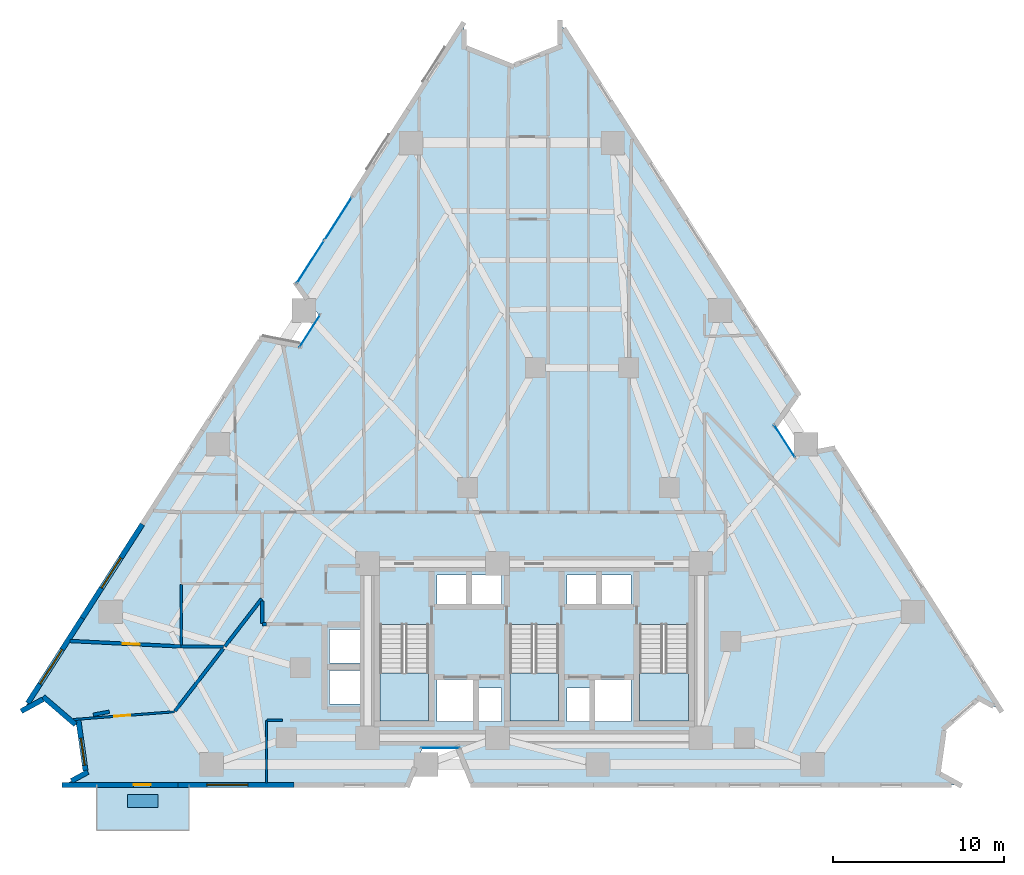
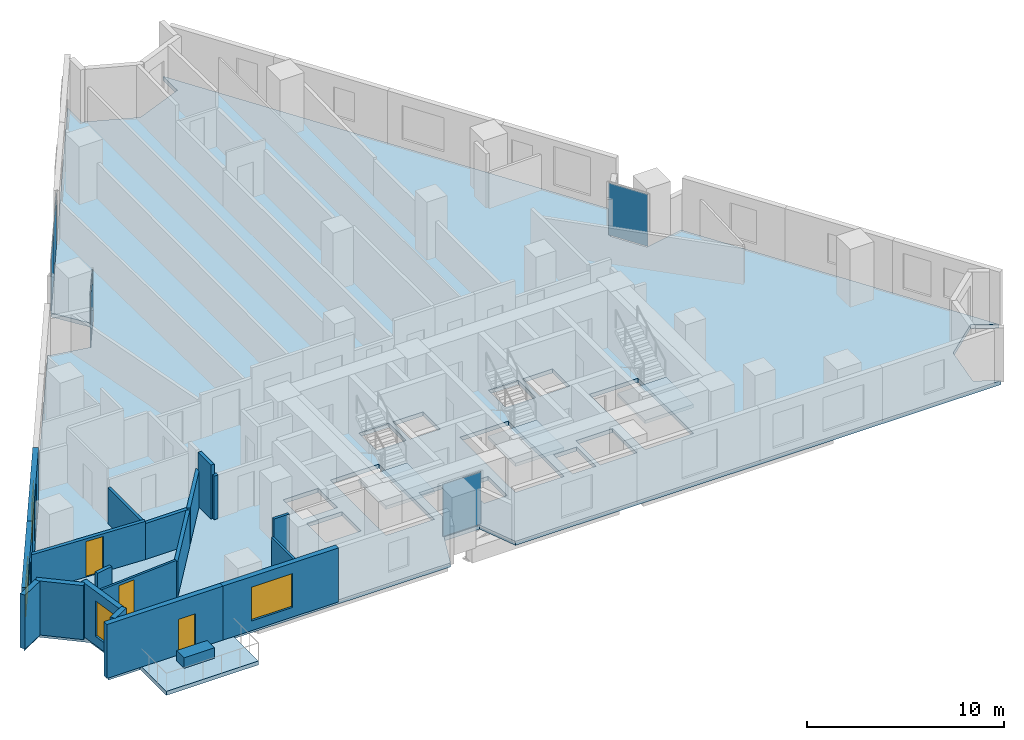
# One storey, part 7 of 14: 19 walls, 6 plates, 5 slabs, 4 windows, 3 doors, 7 openings, 7 elements without a shape of their own.
"""IFC4 building model written with IfcOpenShell, lengths in metres."""

from ifc_helpers import new_model, si_unit, direction, frame, frame_2d, origin, origin_2d, place, context, subcontext, project, spatial, polyline, rectangle, outline, extrude, material, layer, layer_set, type_object, element, fill, aggregate, save


model = new_model("IFC4")

# Units and contexts
model_context = context("Model", 3, precision=1e-05, world=origin(), true_north=direction((0.0, 1.0)))
body_context = subcontext(model_context, "Body", "Model", "MODEL_VIEW")
ifc_project = project(units=[si_unit("LENGTHUNIT", "METRE"), si_unit("AREAUNIT", "SQUARE_METRE"), si_unit("VOLUMEUNIT", "CUBIC_METRE"), si_unit("PLANEANGLEUNIT", "RADIAN"), si_unit("MASSUNIT", "GRAM", prefix="KILO")], contexts=[model_context])

# Site, building, storey
site_placement = place(None, origin())
site = spatial("IfcSite", under=ifc_project, at=site_placement, CompositionType="ELEMENT")
building_placement = place(site_placement, origin())
building = spatial("IfcBuilding", under=site, at=building_placement, Name="Almagre Mirador Tower", CompositionType="ELEMENT")
storey_placement = place(building_placement, frame((0.0, 0.0, 35.39990234375)))
storey = spatial("IfcBuildingStorey", under=building, at=storey_placement, Name="L07", CompositionType="ELEMENT", Elevation=35.39990234375)

# Curtain wall, plate
ifc_material_1 = material(Name="Black anodized aluminium", Category="aluminium")
ifc_layer_1 = layer(ifc_material_1, 0.169921875)
ifc_layer_set_1 = layer_set([ifc_layer_1], Name="Black anodized aluminium")
curtain_wall_type_1 = type_object("IfcCurtainWallType", Name="CW-CRS-SYS", PredefinedType="NOTDEFINED", material=ifc_layer_set_1)
curtain_wall_1_placement = place(storey_placement, origin())
curtain_wall_1 = element("IfcCurtainWall", 1, at=curtain_wall_1_placement, inside=storey, type_object=curtain_wall_type_1, Name="L07 vertical crease curtain wall 01", PredefinedType="NOTDEFINED")
ifc_material_2 = material(Name="Dark solar-control laminated hurricane glass", Category="glass")
ifc_layer_2 = layer(ifc_material_2, 0.028076171875)
ifc_layer_set_2 = layer_set([ifc_layer_2], Name="Dark solar-control laminated hurricane glass")
plate_type_1 = type_object("IfcPlateType", Name="PLT-GLZ-28", PredefinedType="CURTAIN_PANEL", material=ifc_layer_set_2)
plate_1_placement = place(storey_placement, frame((24.173095703125, 28.359619140625, 0.06005859375), z_axis=(0.0, 0.0, 1.0), x_axis=(0.539848636718, 0.841762109764, 0.0)))
plate_1 = element("IfcPlate", 2, at=plate_1_placement, type_object=plate_type_1, Name="CW-4 panel 1.1", PredefinedType="CURTAIN_PANEL", context=body_context, shape_type="SweptSolid", body=[
    extrude(rectangle(XDim=2.24951171875, YDim=0.028076171875, at=origin_2d()), origin(), (0.0, 0.0, 1.0), 3.22998046875),
])
aggregate(curtain_wall_1, [plate_1])

curtain_wall_2_placement = place(storey_placement, origin())
curtain_wall_2 = element("IfcCurtainWall", 3, at=curtain_wall_2_placement, inside=storey, type_object=curtain_wall_type_1, Name="L07 vertical crease curtain wall 03", PredefinedType="NOTDEFINED")
plate_2_placement = place(storey_placement, frame((51.952880859375, 21.92041015625, 0.06005859375), z_axis=(0.0, 0.0, 1.0), x_axis=(0.539848636718, -0.841762109764, 0.0)))
plate_2 = element("IfcPlate", 4, at=plate_2_placement, type_object=plate_type_1, Name="CW-4 panel 1.1", PredefinedType="CURTAIN_PANEL", context=body_context, shape_type="SweptSolid", body=[
    extrude(rectangle(XDim=2.24951171875, YDim=0.028076171875, at=origin_2d()), origin(), (0.0, 0.0, 1.0), 3.22998046875),
])
aggregate(curtain_wall_2, [plate_2])

curtain_wall_3_placement = place(storey_placement, origin())
curtain_wall_3 = element("IfcCurtainWall", 5, at=curtain_wall_3_placement, inside=storey, type_object=curtain_wall_type_1, Name="L07 vertical crease curtain wall 04", PredefinedType="NOTDEFINED")
plate_3_placement = place(storey_placement, frame((31.80810546875, 3.949951171875, 0.06005859375), z_axis=(0.0, 0.0, 1.0), x_axis=(-1.0, 0.0, 0.0)))
plate_3 = element("IfcPlate", 6, at=plate_3_placement, type_object=plate_type_1, Name="CW-4 panel 1.1", PredefinedType="CURTAIN_PANEL", context=body_context, shape_type="SweptSolid", body=[
    extrude(rectangle(XDim=2.25, YDim=0.028076171875, at=origin_2d()), origin(), (0.0, 0.0, 1.0), 3.22998046875),
])
aggregate(curtain_wall_3, [plate_3])

# Curtain wall, plates
ifc_material_3 = material(Name="Black anodized aluminium", Category="aluminium")
ifc_layer_3 = layer(ifc_material_3, 0.18994140625)
ifc_layer_set_3 = layer_set([ifc_layer_3], Name="Black anodized aluminium")
curtain_wall_type_2 = type_object("IfcCurtainWallType", Name="CW-RES-L-SYS", PredefinedType="NOTDEFINED", material=ifc_layer_set_3)
curtain_wall_4_placement = place(storey_placement, origin())
curtain_wall_4 = element("IfcCurtainWall", 7, at=curtain_wall_4_placement, inside=storey, type_object=curtain_wall_type_2, Name="L07 curtain wall run 02", PredefinedType="NOTDEFINED")
ifc_material_4 = material(Name="Dark solar-control laminated hurricane glass", Category="glass")
ifc_layer_4 = layer(ifc_material_4, 0.031982421875)
ifc_layer_set_4 = layer_set([ifc_layer_4], Name="Dark solar-control laminated hurricane glass")
plate_type_2 = type_object("IfcPlateType", Name="PLT-GLZ-32", PredefinedType="CURTAIN_PANEL", material=ifc_layer_set_4)
plate_4_placement = place(storey_placement, frame((24.2138671875, 32.407958984375, 0.06005859375), z_axis=(0.0, 0.0, 1.0), x_axis=(0.539529022287, 0.841967002982, 0.0)))
plate_4 = element("IfcPlate", 8, at=plate_4_placement, type_object=plate_type_2, Name="CW-2 panel 1.1", PredefinedType="CURTAIN_PANEL", context=body_context, shape_type="SweptSolid", body=[
    extrude(rectangle(XDim=2.931640625, YDim=0.031982421875, at=origin_2d()), origin(), (0.0, 0.0, 1.0), 3.22998046875),
])
plate_5_placement = place(storey_placement, frame((25.830810546875, 34.93115234375, 0.06005859375), z_axis=(0.0, 0.0, 1.0), x_axis=(0.539529022287, 0.841967002982, 0.0)))
plate_5 = element("IfcPlate", 9, at=plate_5_placement, type_object=plate_type_2, Name="CW-2 panel 2.1", PredefinedType="CURTAIN_PANEL", context=body_context, shape_type="SweptSolid", body=[
    extrude(rectangle(XDim=2.931640625, YDim=0.031982421875, at=origin_2d()), origin(), (0.0, 0.0, 1.0), 3.22998046875),
])
aggregate(curtain_wall_4, [plate_4, plate_5])

# Plate
ifc_material_5 = material(Name="Precast concrete C50/60", Category="concrete")
ifc_layer_5 = layer(ifc_material_5, 0.64990234375)
ifc_layer_set_5 = layer_set([ifc_layer_5], Name="Precast concrete C50/60")
plate_type_3 = type_object("IfcPlateType", Name="PLT-PLANTER-1800", PredefinedType="USERDEFINED", material=ifc_layer_set_5)
plate_6_placement = place(storey_placement, frame((14.39990234375, 0.85009765625, 0.000244140625), z_axis=(0.0, 0.0, 1.0), x_axis=(1.0, 0.0, 0.0)))
element("IfcPlate", 10, at=plate_6_placement, inside=storey, type_object=plate_type_3, Name="L07 south balcony structural tree planter 1", ObjectType="PLANTER", PredefinedType="USERDEFINED", context=body_context, shape_type="SweptSolid", body=[
    extrude(rectangle(XDim=1.800048828125, YDim=0.75, at=origin_2d()), origin(), (0.0, 0.0, 1.0), 0.64990234375),
])

# Slabs
ifc_material_6 = material(Name="Concrete C45/55", Category="concrete")
ifc_layer_6 = layer(ifc_material_6, 0.239990234375)
ifc_layer_set_6 = layer_set([ifc_layer_6], Name="Concrete C45/55")
slab_type_1 = type_object("IfcSlabType", Name="SLB-BAL-240", PredefinedType="USERDEFINED", material=ifc_layer_set_6)
slab_1_placement = place(storey_placement, frame((0.0, 0.0, -0.239990234375)))
element("IfcSlab", 11, at=slab_1_placement, inside=storey, type_object=slab_type_1, Name="L07 south planted tree balcony 1", ObjectType="BALCONY", PredefinedType="USERDEFINED", context=body_context, shape_type="SweptSolid", body=[
    extrude(outline(polyline([(11.699951171875, 1.820068359375), (17.10009765625, 1.820068359375), (17.10009765625, -0.85009765625), (11.699951171875, -0.85009765625), (11.699951171875, 1.820068359375)])), origin(), (0.0, 0.0, 1.0), 0.239990234375),
])
ifc_material_7 = material(Name="Concrete C45/55", Category="concrete")
ifc_layer_7 = layer(ifc_material_7, 0.25)
ifc_layer_set_7 = layer_set([ifc_layer_7], Name="Concrete C45/55")
slab_type_2 = type_object("IfcSlabType", Name="SLB-FLR-250", PredefinedType="FLOOR", material=ifc_layer_set_7)
slab_2_placement = place(storey_placement, frame((0.0, 0.0, -0.25)))
element("IfcSlab", 12, at=slab_2_placement, inside=storey, type_object=slab_type_2, Name="L07 structural floor slab", PredefinedType="FLOOR", context=body_context, shape_type="SweptSolid", body=[
    extrude(outline(polyline([(7.406005859375, 6.177978515625), (8.6689453125, 6.868896484375), (10.69189453125, 5.132080078125), (11.06298828125, 2.490966796875), (9.800048828125, 1.800048828125), (29.907958984375, 1.800048828125), (30.762939453125, 3.949951171875), (32.85302734375, 3.949951171875), (33.7080078125, 1.800048828125), (62.199951171875, 1.800048828125), (60.93701171875, 2.490966796875), (61.30810546875, 5.132080078125), (63.3310546875, 6.868896484375), (64.593994140625, 6.177978515625), (54.7880859375, 21.48095703125), (52.51708984375, 21.041015625), (51.388916015625, 22.800048828125), (52.738037109375, 24.679931640625), (38.805908203125, 46.422119140625), (38.805908203125, 44.98193359375), (36.0, 43.85595703125), (33.194091796875, 44.98193359375), (33.194091796875, 46.422119140625), (23.387939453125, 31.118896484375), (24.737060546875, 29.239013671875), (23.60888671875, 27.47998046875), (21.337890625, 27.919921875), (7.406005859375, 6.177978515625)]), holes=[polyline([(43.47509765625, 11.196044921875), (46.324951171875, 11.196044921875), (46.324951171875, 5.550048828125), (43.47509765625, 5.550048828125), (43.47509765625, 11.196044921875)]), polyline([(40.820068359375, 5.52001953125), (40.820068359375, 7.97998046875), (42.97998046875, 7.97998046875), (42.97998046875, 5.52001953125), (40.820068359375, 5.52001953125)]), polyline([(41.219970703125, 12.320068359375), (41.219970703125, 14.080078125), (42.97998046875, 14.080078125), (42.97998046875, 12.320068359375), (41.219970703125, 12.320068359375)]), polyline([(39.219970703125, 12.320068359375), (39.219970703125, 14.080078125), (40.97998046875, 14.080078125), (40.97998046875, 12.320068359375), (39.219970703125, 12.320068359375)]), polyline([(39.219970703125, 5.52001953125), (39.219970703125, 7.47998046875), (40.580078125, 7.47998046875), (40.580078125, 5.52001953125), (39.219970703125, 5.52001953125)]), polyline([(35.875, 11.196044921875), (38.72509765625, 11.196044921875), (38.72509765625, 5.550048828125), (35.875, 5.550048828125), (35.875, 11.196044921875)]), polyline([(35.3798828125, 5.52001953125), (34.02001953125, 5.52001953125), (34.02001953125, 7.47998046875), (35.3798828125, 7.47998046875), (35.3798828125, 5.52001953125)]), polyline([(35.3798828125, 12.320068359375), (33.6201171875, 12.320068359375), (33.6201171875, 14.080078125), (35.3798828125, 14.080078125), (35.3798828125, 12.320068359375)]), polyline([(31.6201171875, 5.52001953125), (31.6201171875, 7.97998046875), (33.780029296875, 7.97998046875), (33.780029296875, 5.52001953125), (31.6201171875, 5.52001953125)]), polyline([(31.6201171875, 12.320068359375), (31.6201171875, 14.080078125), (33.3798828125, 14.080078125), (33.3798828125, 12.320068359375), (31.6201171875, 12.320068359375)]), polyline([(28.27490234375, 5.550048828125), (28.27490234375, 11.196044921875), (31.125, 11.196044921875), (31.125, 5.550048828125), (28.27490234375, 5.550048828125)]), polyline([(25.320068359375, 6.52001953125), (25.320068359375, 8.47998046875), (27.3798828125, 8.47998046875), (27.3798828125, 6.52001953125), (25.320068359375, 6.52001953125)]), polyline([(25.320068359375, 8.919921875), (25.320068359375, 10.8798828125), (27.3798828125, 10.8798828125), (27.3798828125, 8.919921875), (25.320068359375, 8.919921875)])]), origin(), (0.0, 0.0, 1.0), 0.25),
])

# Stair, slab
ifc_material_8 = material(Name="Concrete C45/55", Category="concrete")
stair_type = type_object("IfcStairType", Name="STR-DL-3600", PredefinedType="HALF_TURN_STAIR", material=ifc_material_8)
stair_1_placement = place(storey_placement, origin())
stair_1 = element("IfcStair", 13, at=stair_1_placement, inside=storey, type_object=stair_type, Name="L07 Protected exit stair ST-1", PredefinedType="HALF_TURN_STAIR")
ifc_material_9 = material(Name="Concrete C45/55", Category="concrete")
ifc_layer_8 = layer(ifc_material_9, 0.199951171875)
ifc_layer_set_8 = layer_set([ifc_layer_8], Name="Concrete C45/55")
slab_type_3 = type_object("IfcSlabType", Name="SLB-LND-200", PredefinedType="LANDING", material=ifc_layer_set_8)
slab_3_placement = place(storey_placement, frame((0.0, 0.0, 1.60009765625)))
slab_3 = element("IfcSlab", 14, at=slab_3_placement, type_object=slab_type_3, Name="ST-1 landing 1", PredefinedType="LANDING", context=body_context, shape_type="SweptSolid", body=[
    extrude(outline(polyline([(28.27490234375, 8.35009765625), (28.27490234375, 5.550048828125), (31.125, 5.550048828125), (31.125, 8.35009765625), (28.27490234375, 8.35009765625)])), origin(), (0.0, 0.0, 1.0), 0.199951171875),
])
aggregate(stair_1, [slab_3])

stair_2_placement = place(storey_placement, origin())
stair_2 = element("IfcStair", 15, at=stair_2_placement, inside=storey, type_object=stair_type, Name="L07 Protected exit stair ST-2", PredefinedType="HALF_TURN_STAIR")
slab_4_placement = place(storey_placement, frame((0.0, 0.0, 1.60009765625)))
slab_4 = element("IfcSlab", 16, at=slab_4_placement, type_object=slab_type_3, Name="ST-2 landing 1", PredefinedType="LANDING", context=body_context, shape_type="SweptSolid", body=[
    extrude(outline(polyline([(35.875, 8.35009765625), (35.875, 5.550048828125), (38.72509765625, 5.550048828125), (38.72509765625, 8.35009765625), (35.875, 8.35009765625)])), origin(), (0.0, 0.0, 1.0), 0.199951171875),
])
aggregate(stair_2, [slab_4])

stair_3_placement = place(storey_placement, origin())
stair_3 = element("IfcStair", 17, at=stair_3_placement, inside=storey, type_object=stair_type, Name="L07 Protected exit stair ST-3", PredefinedType="HALF_TURN_STAIR")
slab_5_placement = place(storey_placement, frame((0.0, 0.0, 1.60009765625)))
slab_5 = element("IfcSlab", 18, at=slab_5_placement, type_object=slab_type_3, Name="ST-3 landing 1", PredefinedType="LANDING", context=body_context, shape_type="SweptSolid", body=[
    extrude(outline(polyline([(43.47509765625, 8.35009765625), (43.47509765625, 5.550048828125), (46.324951171875, 5.550048828125), (46.324951171875, 8.35009765625), (43.47509765625, 8.35009765625)])), origin(), (0.0, 0.0, 1.0), 0.199951171875),
])
aggregate(stair_3, [slab_5])

# Wall, opening, window
ifc_material_10 = material(Name="Precast concrete C50/60", Category="concrete")
ifc_layer_9 = layer(ifc_material_10, 0.300048828125)
ifc_layer_set_9 = layer_set([ifc_layer_9], Name="Precast concrete C50/60")
wall_type_1 = type_object("IfcWallType", Name="WAL-EXT-300", PredefinedType="SOLIDWALL", material=ifc_layer_set_9)
wall_1_placement = place(storey_placement, frame((23.251953125, 1.800048828125, 0.0), z_axis=(0.0, 0.0, 1.0), x_axis=(-1.0, 0.0, 0.0)))
wall_1 = element("IfcWall", 19, at=wall_1_placement, inside=storey, type_object=wall_type_1, Name="L07 expressed almagre precast frame wall 29", PredefinedType="SOLIDWALL", context=body_context, shape_type="SweptSolid", body=[
    extrude(rectangle(XDim=6.7958984375, YDim=0.300048828125, at=frame_2d((3.39794921875, 0.0))), origin(), (0.0, 0.0, 1.0), 3.35009765625),
])
opening_1_placement = place(wall_1_placement, frame((2.699951171875, 0.0, 0.60009765625)))
opening_1 = element("IfcOpeningElement", 20, at=opening_1_placement, cuts=wall_1, Name="Opening WN-02", PredefinedType="OPENING", context=body_context, shape_type="SweptSolid", body=[
    extrude(rectangle(XDim=2.39990234375, YDim=2.10009765625, at=frame_2d((1.199951171875, 1.050048828125))), frame((0.0, 0.159902, 0.0), z_axis=(0.0, -1.0, 0.0), x_axis=(1.0, 0.0, 0.0)), (0.0, 0.0, 1.0), 0.320049),
])
ifc_material_11 = material(Name="Dark solar-control laminated hurricane glass", Category="glass")
window_type_1 = type_object("IfcWindowType", Name="WIN-2400X2100", PartitioningType="TRIPLE_PANEL_VERTICAL", PredefinedType="WINDOW", material=ifc_material_11)
window_1_placement = place(opening_1_placement, origin())
window_1 = element("IfcWindow", 21, at=window_1_placement, inside=storey, type_object=window_type_1, Name="L07 recessed hurricane window L07-UB-ST", OverallHeight=2.10009765625, OverallWidth=2.39990234375, PartitioningType="SINGLE_PANEL", PredefinedType="WINDOW", context=body_context, shape_type="SweptSolid", body=[
    extrude(rectangle(XDim=2.39990234375, YDim=2.10009765625, at=frame_2d((1.199951171875, 1.050048828125))), frame((0.0, 0.030029296875, 0.0), z_axis=(0.0, -1.0, 0.0), x_axis=(1.0, 0.0, 0.0)), (0.0, 0.0, 1.0), 0.06005859375),
])
fill(opening_1, window_1)

# Wall, opening, door
wall_2_placement = place(storey_placement, frame((16.4560546875, 1.800048828125, 0.0), z_axis=(0.0, 0.0, 1.0), x_axis=(-1.0, 0.0, 0.0)))
wall_2 = element("IfcWall", 22, at=wall_2_placement, inside=storey, type_object=wall_type_1, Name="L07 expressed almagre precast frame wall 30", PredefinedType="SOLIDWALL", context=body_context, shape_type="SweptSolid", body=[
    extrude(rectangle(XDim=6.796142578125, YDim=0.300048828125, at=frame_2d((3.39794921875, 0.0))), origin(), (0.0, 0.0, 1.0), 3.35009765625),
])
opening_2_placement = place(wall_2_placement, frame((1.597412109375, 0.0, 0.0)))
opening_2 = element("IfcOpeningElement", 23, at=opening_2_placement, cuts=wall_2, Name="Opening BD-01", PredefinedType="OPENING", context=body_context, shape_type="SweptSolid", body=[
    extrude(rectangle(XDim=1.0, YDim=2.199951171875, at=frame_2d((0.5, 1.10009765625))), frame((0.0, 0.159902, 0.0), z_axis=(0.0, -1.0, 0.0), x_axis=(1.0, 0.0, 0.0)), (0.0, 0.0, 1.0), 0.320049),
])
ifc_material_12 = material(Name="Black anodized aluminium and laminated glass", Category="aluminium")
door_type_1 = type_object("IfcDoorType", Name="DOR-BAL-1000X2200", OperationType="NOTDEFINED", PredefinedType="DOOR", material=ifc_material_12)
door_1_placement = place(opening_2_placement, origin())
door_1 = element("IfcDoor", 24, at=door_1_placement, inside=storey, type_object=door_type_1, Name="DR-0206 L07 south balcony glazed door 1", OperationType="SINGLE_SWING_LEFT", OverallHeight=2.199951171875, OverallWidth=1.0, PredefinedType="DOOR", context=body_context, shape_type="SweptSolid", body=[
    extrude(rectangle(XDim=1.0, YDim=2.199951171875, at=frame_2d((0.5, 1.10009765625))), frame((0.0, 0.02490234375, 0.0), z_axis=(0.0, -1.0, 0.0), x_axis=(1.0, 0.0, 0.0)), (0.0, 0.0, 1.0), 0.050048828125),
])
fill(opening_2, door_1)

# Wall
wall_3_placement = place(storey_placement, frame((10.22119140625, 2.030517578125, 0.0), z_axis=(0.0, 0.0, 1.0), x_axis=(0.877343386297, 0.479863087266, 0.0)))
element("IfcWall", 25, at=wall_3_placement, inside=storey, type_object=wall_type_1, Name="L07 expressed almagre precast frame wall 31", PredefinedType="SOLIDWALL", context=body_context, shape_type="SweptSolid", body=[
    extrude(rectangle(XDim=1.099365234375, YDim=0.300048828125, at=frame_2d((0.5498046875, 0.0))), origin(), (0.0, 0.0, 1.0), 3.35009765625),
])

# Wall, opening, window
wall_4_placement = place(storey_placement, frame((11.044189453125, 2.624755859375, 0.0), z_axis=(0.0, 0.0, 1.0), x_axis=(-0.139123594989, 0.99027502509, 0.0)))
wall_4 = element("IfcWall", 26, at=wall_4_placement, inside=storey, type_object=wall_type_1, Name="L07 expressed almagre precast frame wall 32", PredefinedType="SOLIDWALL", context=body_context, shape_type="SweptSolid", body=[
    extrude(rectangle(XDim=3.0498046875, YDim=0.300048828125, at=frame_2d((1.52490234375, 0.0))), origin(), (0.0, 0.0, 1.0), 3.35009765625),
])
opening_3_placement = place(wall_4_placement, frame((0.324951171875, 0.0, 0.550048828125)))
opening_3 = element("IfcOpeningElement", 27, at=opening_3_placement, cuts=wall_4, Name="Opening WN-06", PredefinedType="OPENING", context=body_context, shape_type="SweptSolid", body=[
    extrude(rectangle(XDim=1.60009765625, YDim=2.199951171875, at=frame_2d((0.800048828125, 1.10009765625))), frame((0.0, 0.159902, 0.0), z_axis=(0.0, -1.0, 0.0), x_axis=(1.0, 0.0, 0.0)), (0.0, 0.0, 1.0), 0.320049),
])
ifc_material_13 = material(Name="Dark solar-control laminated hurricane glass", Category="glass")
window_type_2 = type_object("IfcWindowType", Name="WIN-1600X2200", PartitioningType="DOUBLE_PANEL_VERTICAL", PredefinedType="WINDOW", material=ifc_material_13)
window_2_placement = place(opening_3_placement, origin())
window_2 = element("IfcWindow", 28, at=window_2_placement, inside=storey, type_object=window_type_2, Name="L07 recessed hurricane window L07-UA-KT", OverallHeight=2.199951171875, OverallWidth=1.60009765625, PartitioningType="SINGLE_PANEL", PredefinedType="WINDOW", context=body_context, shape_type="SweptSolid", body=[
    extrude(rectangle(XDim=1.60009765625, YDim=2.199951171875, at=frame_2d((0.800048828125, 1.10009765625))), frame((0.0, 0.030029296875, 0.0), z_axis=(0.0, -1.0, 0.0), x_axis=(1.0, 0.0, 0.0)), (0.0, 0.0, 1.0), 0.06005859375),
])
fill(opening_3, window_2)

# Walls
wall_5_placement = place(storey_placement, frame((10.456787109375, 5.333984375, 0.0), z_axis=(0.0, 0.0, 1.0), x_axis=(-0.758710972352, 0.651427402273, 0.0)))
element("IfcWall", 29, at=wall_5_placement, inside=storey, type_object=wall_type_1, Name="L07 expressed almagre precast frame wall 33", PredefinedType="SOLIDWALL", context=body_context, shape_type="SweptSolid", body=[
    extrude(rectangle(XDim=2.496337890625, YDim=0.300048828125, at=frame_2d((1.248046875, 0.0))), origin(), (0.0, 0.0, 1.0), 3.35009765625),
])
wall_6_placement = place(storey_placement, frame((8.550537109375, 6.80419921875, 0.0), z_axis=(0.0, 0.0, 1.0), x_axis=(-0.877287752989, -0.479964788767, 0.0)))
element("IfcWall", 30, at=wall_6_placement, inside=storey, type_object=wall_type_1, Name="L07 expressed almagre precast frame wall 34", PredefinedType="SOLIDWALL", context=body_context, shape_type="SweptSolid", body=[
    extrude(rectangle(XDim=1.444580078125, YDim=0.300048828125, at=frame_2d((0.72216796875, 0.0))), origin(), (0.0, 0.0, 1.0), 3.35009765625),
])

# Wall, opening, window
wall_7_placement = place(storey_placement, frame((7.667724609375, 6.586181640625, 0.0), z_axis=(0.0, 0.0, 1.0), x_axis=(0.539504449159, 0.841982748836, 0.0)))
wall_7 = element("IfcWall", 31, at=wall_7_placement, inside=storey, type_object=wall_type_1, Name="L07 expressed almagre precast frame wall 35", PredefinedType="SOLIDWALL", context=body_context, shape_type="SweptSolid", body=[
    extrude(rectangle(XDim=5.90087890625, YDim=0.300048828125, at=frame_2d((2.950439453125, 0.0))), origin(), (0.0, 0.0, 1.0), 3.35009765625),
])
opening_4_placement = place(wall_7_placement, frame((1.324951171875, 0.0, 0.60009765625)))
opening_4 = element("IfcOpeningElement", 32, at=opening_4_placement, cuts=wall_7, Name="Opening WN-02", PredefinedType="OPENING", context=body_context, shape_type="SweptSolid", body=[
    extrude(rectangle(XDim=2.39990234375, YDim=2.10009765625, at=frame_2d((1.199951171875, 1.050048828125))), frame((0.0, 0.159902, 0.0), z_axis=(0.0, -1.0, 0.0), x_axis=(1.0, 0.0, 0.0)), (0.0, 0.0, 1.0), 0.320049),
])
window_3_placement = place(opening_4_placement, origin())
window_3 = element("IfcWindow", 33, at=window_3_placement, inside=storey, type_object=window_type_1, Name="L07 recessed hurricane window L07-UA-BT", OverallHeight=2.10009765625, OverallWidth=2.39990234375, PartitioningType="SINGLE_PANEL", PredefinedType="WINDOW", context=body_context, shape_type="SweptSolid", body=[
    extrude(rectangle(XDim=2.39990234375, YDim=2.10009765625, at=frame_2d((1.199951171875, 1.050048828125))), frame((0.0, 0.030029296875, 0.0), z_axis=(0.0, -1.0, 0.0), x_axis=(1.0, 0.0, 0.0)), (0.0, 0.0, 1.0), 0.06005859375),
])
fill(opening_4, window_3)

wall_8_placement = place(storey_placement, frame((10.851318359375, 11.5546875, 0.0), z_axis=(0.0, 0.0, 1.0), x_axis=(0.539526045631, 0.841968910403, 0.0)))
wall_8 = element("IfcWall", 34, at=wall_8_placement, inside=storey, type_object=wall_type_1, Name="L07 expressed almagre precast frame wall 36", PredefinedType="SOLIDWALL", context=body_context, shape_type="SweptSolid", body=[
    extrude(rectangle(XDim=6.525634765625, YDim=0.300048828125, at=frame_2d((3.2626953125, 0.0))), origin(), (0.0, 0.0, 1.0), 3.35009765625),
])
opening_5_placement = place(wall_8_placement, frame((2.10009765625, 0.0, 0.550048828125)))
opening_5 = element("IfcOpeningElement", 35, at=opening_5_placement, cuts=wall_8, Name="Opening WN-05", PredefinedType="OPENING", context=body_context, shape_type="SweptSolid", body=[
    extrude(rectangle(XDim=2.10009765625, YDim=2.39990234375, at=frame_2d((1.050048828125, 1.199951171875))), frame((0.0, 0.159902, 0.0), z_axis=(0.0, -1.0, 0.0), x_axis=(1.0, 0.0, 0.0)), (0.0, 0.0, 1.0), 0.320049),
])
ifc_material_14 = material(Name="Dark solar-control laminated hurricane glass", Category="glass")
window_type_3 = type_object("IfcWindowType", Name="WIN-2100X2400", PartitioningType="DOUBLE_PANEL_VERTICAL", PredefinedType="WINDOW", material=ifc_material_14)
window_4_placement = place(opening_5_placement, origin())
window_4 = element("IfcWindow", 36, at=window_4_placement, inside=storey, type_object=window_type_3, Name="L07 recessed hurricane window L07-UE-KT", OverallHeight=2.39990234375, OverallWidth=2.10009765625, PartitioningType="SINGLE_PANEL", PredefinedType="WINDOW", context=body_context, shape_type="SweptSolid", body=[
    extrude(rectangle(XDim=2.10009765625, YDim=2.39990234375, at=frame_2d((1.050048828125, 1.199951171875))), frame((0.0, 0.030029296875, 0.0), z_axis=(0.0, -1.0, 0.0), x_axis=(1.0, 0.0, 0.0)), (0.0, 0.0, 1.0), 0.06005859375),
])
fill(opening_5, window_4)

# Wall, opening, door
ifc_material_15 = material(Name="Gypsum acoustic stud partition", Category="other")
ifc_layer_10 = layer(ifc_material_15, 0.125)
ifc_layer_set_10 = layer_set([ifc_layer_10], Name="Gypsum acoustic stud partition")
wall_type_2 = type_object("IfcWallType", Name="WAL-PRT-125-UTL", PredefinedType="PARTITIONING", material=ifc_layer_set_10)
wall_9_placement = place(storey_placement, frame((10.302001953125, 5.6220703125, 0.0), z_axis=(0.0, 0.0, 1.0), x_axis=(0.997048464094, 0.076774737046, 0.0)))
wall_9 = element("IfcWall", 37, at=wall_9_placement, inside=storey, type_object=wall_type_2, Name="L07 interior partition 020", PredefinedType="PARTITIONING", context=body_context, shape_type="SweptSolid", body=[
    extrude(rectangle(XDim=5.965576171875, YDim=0.125, at=frame_2d((2.98291015625, 0.0))), origin(), (0.0, 0.0, 1.0), 2.3701171875),
])
opening_6_placement = place(wall_9_placement, frame((2.4208984375, 0.0, 0.0)))
opening_6 = element("IfcOpeningElement", 38, at=opening_6_placement, cuts=wall_9, Name="Opening UD-01", PredefinedType="OPENING", context=body_context, shape_type="SweptSolid", body=[
    extrude(rectangle(XDim=0.949951171875, YDim=2.199951171875, at=frame_2d((0.47509765625, 1.10009765625))), frame((0.0, 0.0725, 0.0), z_axis=(0.0, -1.0, 0.0), x_axis=(1.0, 0.0, 0.0)), (0.0, 0.0, 1.0), 0.145),
])
ifc_material_16 = material(Name="Solid American walnut timber", Category="wood")
door_type_2 = type_object("IfcDoorType", Name="DOR-UNR-950X2200", OperationType="NOTDEFINED", PredefinedType="DOOR", material=ifc_material_16)
door_2_placement = place(opening_6_placement, origin())
door_2 = element("IfcDoor", 39, at=door_2_placement, inside=storey, type_object=door_type_2, Name="DR-0218 L07 interior door L07-UA-ST to L07-UA-KT", OperationType="SINGLE_SWING_RIGHT", OverallHeight=2.199951171875, OverallWidth=0.949951171875, PredefinedType="DOOR", context=body_context, shape_type="SweptSolid", body=[
    extrude(rectangle(XDim=0.949951171875, YDim=2.199951171875, at=frame_2d((0.47509765625, 1.10009765625))), frame((0.0, 0.02490234375, 0.0), z_axis=(0.0, -1.0, 0.0), x_axis=(1.0, 0.0, 0.0)), (0.0, 0.0, 1.0), 0.050048828125),
])
fill(opening_6, door_2)

# Walls
wall_10_placement = place(storey_placement, frame((21.6298828125, 1.89990234375, 0.0), z_axis=(0.0, 0.0, 1.0), x_axis=(0.0, 1.0, 0.0)))
element("IfcWall", 40, at=wall_10_placement, inside=storey, type_object=wall_type_2, Name="L07 interior partition 027", PredefinedType="PARTITIONING", context=body_context, shape_type="SweptSolid", body=[
    extrude(rectangle(XDim=3.670166015625, YDim=0.125, at=frame_2d((1.8349609375, 0.0))), origin(), (0.0, 0.0, 1.0), 2.22802734375),
])
ifc_material_17 = material(Name="Gypsum acoustic stud partition", Category="other")
ifc_layer_11 = layer(ifc_material_17, 0.14990234375)
ifc_layer_set_11 = layer_set([ifc_layer_11], Name="Gypsum acoustic stud partition")
wall_type_3 = type_object("IfcWallType", Name="WAL-PRT-150-STD", PredefinedType="PARTITIONING", material=ifc_layer_set_11)
wall_11_placement = place(storey_placement, frame((21.677490234375, 5.570068359375, 0.0), z_axis=(0.0, 0.0, 1.0), x_axis=(1.0, 0.0, 0.0)))
element("IfcWall", 41, at=wall_11_placement, inside=storey, type_object=wall_type_3, Name="L07 interior partition 029", PredefinedType="PARTITIONING", context=body_context, shape_type="SweptSolid", body=[
    extrude(rectangle(XDim=0.902587890625, YDim=0.14990234375, at=frame_2d((0.451171875, 0.0))), origin(), (0.0, 0.0, 1.0), 3.35009765625),
])
wall_12_placement = place(storey_placement, frame((16.639892578125, 13.52001953125, 0.0), z_axis=(0.0, 0.0, 1.0), x_axis=(0.0, -1.0, 0.0)))
element("IfcWall", 42, at=wall_12_placement, inside=storey, type_object=wall_type_3, Name="L07 interior partition 037", PredefinedType="PARTITIONING", context=body_context, shape_type="SweptSolid", body=[
    extrude(rectangle(XDim=3.534912109375, YDim=0.14990234375, at=frame_2d((1.767578125, 0.0))), origin(), (0.0, 0.0, 1.0), 2.22802734375),
])
ifc_material_18 = material(Name="Gypsum acoustic stud partition", Category="other")
ifc_layer_12 = layer(ifc_material_18, 0.199951171875)
ifc_layer_set_12 = layer_set([ifc_layer_12], Name="Gypsum acoustic stud partition")
wall_type_4 = type_object("IfcWallType", Name="WAL-PRT-200-EI60", PredefinedType="PARTITIONING", material=ifc_layer_set_12)
wall_13_placement = place(storey_placement, frame((21.39990234375, 12.550048828125, 0.0), z_axis=(0.0, 0.0, 1.0), x_axis=(0.0, -1.0, 0.0)))
element("IfcWall", 43, at=wall_13_placement, inside=storey, type_object=wall_type_4, Name="L07 interior partition 001", PredefinedType="PARTITIONING", context=body_context, shape_type="SweptSolid", body=[
    extrude(rectangle(XDim=1.304931640625, YDim=0.199951171875, at=frame_2d((0.65234375, 0.0))), origin(), (0.0, 0.0, 1.0), 3.35009765625),
])
wall_14_placement = place(storey_placement, frame((21.39990234375, 11.199951171875, 0.0), z_axis=(0.0, 0.0, 1.0), x_axis=(1.0, 0.0, 0.0)))
element("IfcWall", 44, at=wall_14_placement, inside=storey, type_object=wall_type_4, Name="L07 interior partition 002", PredefinedType="PARTITIONING", context=body_context, shape_type="SweptSolid", body=[
    extrude(rectangle(XDim=0.22998046875, YDim=0.199951171875, at=frame_2d((0.114990234375, 0.0))), origin(), (0.0, 0.0, 1.0), 2.712158203125),
])
wall_15_placement = place(storey_placement, frame((16.279052734375, 6.11767578125, 0.0), z_axis=(0.0, 0.0, 1.0), x_axis=(0.611231323246, 0.791452000745, 0.0)))
element("IfcWall", 45, at=wall_15_placement, inside=storey, type_object=wall_type_4, Name="L07 interior partition 022", PredefinedType="PARTITIONING", context=body_context, shape_type="SweptSolid", body=[
    extrude(rectangle(XDim=4.62890625, YDim=0.199951171875, at=frame_2d((2.314453125, 0.0))), origin(), (0.0, 0.0, 1.0), 2.22802734375),
])
wall_16_placement = place(storey_placement, frame((19.114990234375, 9.89990234375, 0.0), z_axis=(0.0, 0.0, 1.0), x_axis=(-1.0, 0.0, 0.0)))
element("IfcWall", 46, at=wall_16_placement, inside=storey, type_object=wall_type_4, Name="L07 interior partition 023", PredefinedType="PARTITIONING", context=body_context, shape_type="SweptSolid", body=[
    extrude(rectangle(XDim=2.47509765625, YDim=0.199951171875, at=frame_2d((1.237548828125, 0.0))), origin(), (0.0, 0.0, 1.0), 2.22802734375),
])

# Wall, opening, door
wall_17_placement = place(storey_placement, frame((16.639892578125, 9.89990234375, 0.0), z_axis=(0.0, 0.0, 1.0), x_axis=(-0.998783560552, 0.049309219933, 0.0)))
wall_17 = element("IfcWall", 47, at=wall_17_placement, inside=storey, type_object=wall_type_4, Name="L07 interior partition 024", PredefinedType="PARTITIONING", context=body_context, shape_type="SweptSolid", body=[
    extrude(rectangle(XDim=6.5107421875, YDim=0.199951171875, at=frame_2d((3.25537109375, 0.0))), origin(), (0.0, 0.0, 1.0), 2.3701171875),
])
opening_7_placement = place(wall_17_placement, frame((2.412109375, 0.0, 0.0)))
opening_7 = element("IfcOpeningElement", 48, at=opening_7_placement, cuts=wall_17, Name="Opening ID-01", PredefinedType="OPENING", context=body_context, shape_type="SweptSolid", body=[
    extrude(rectangle(XDim=1.0, YDim=2.199951171875, at=frame_2d((0.5, 1.10009765625))), frame((0.0, 0.110098, 0.0), z_axis=(0.0, -1.0, 0.0), x_axis=(1.0, 0.0, 0.0)), (0.0, 0.0, 1.0), 0.219951),
])
ifc_material_19 = material(Name="Fire-rated walnut timber", Category="wood")
door_type_3 = type_object("IfcDoorType", Name="DOR-FD60-1000X2200", OperationType="NOTDEFINED", PredefinedType="DOOR", material=ifc_material_19)
door_3_placement = place(opening_7_placement, origin())
door_3 = element("IfcDoor", 49, at=door_3_placement, inside=storey, type_object=door_type_3, Name="DR-0229 L07 interior door L07-UA-ST to L07-UE-KT", OperationType="SINGLE_SWING_RIGHT", OverallHeight=2.199951171875, OverallWidth=1.0, PredefinedType="DOOR", context=body_context, shape_type="SweptSolid", body=[
    extrude(rectangle(XDim=1.0, YDim=2.199951171875, at=frame_2d((0.5, 1.10009765625))), frame((0.0, 0.02490234375, 0.0), z_axis=(0.0, -1.0, 0.0), x_axis=(1.0, 0.0, 0.0)), (0.0, 0.0, 1.0), 0.050048828125),
])
fill(opening_7, door_3)

# Walls
wall_18_placement = place(storey_placement, frame((21.34814453125, 12.6826171875, 0.0), z_axis=(0.0, 0.0, 1.0), x_axis=(-0.611075844668, -0.791572051088, 0.0)))
element("IfcWall", 50, at=wall_18_placement, inside=storey, type_object=wall_type_4, Name="L07 interior partition 028", PredefinedType="PARTITIONING", context=body_context, shape_type="SweptSolid", body=[
    extrude(rectangle(XDim=3.515380859375, YDim=0.199951171875, at=frame_2d((1.7578125, 0.0))), origin(), (0.0, 0.0, 1.0), 2.22802734375),
])
wall_19_placement = place(storey_placement, frame((11.501953125, 5.907958984375, 0.0), z_axis=(0.0, 0.0, 1.0), x_axis=(0.983510869315, 0.180849025265, 0.0)))
element("IfcWall", 51, at=wall_19_placement, inside=storey, type_object=wall_type_4, Name="L07 interior partition 069", PredefinedType="PARTITIONING", context=body_context, shape_type="SweptSolid", body=[
    extrude(rectangle(XDim=0.95166015625, YDim=0.199951171875, at=frame_2d((0.475830078125, 0.0))), origin(), (0.0, 0.0, 1.0), 3.35009765625),
])

save(model, "model.ifc")
